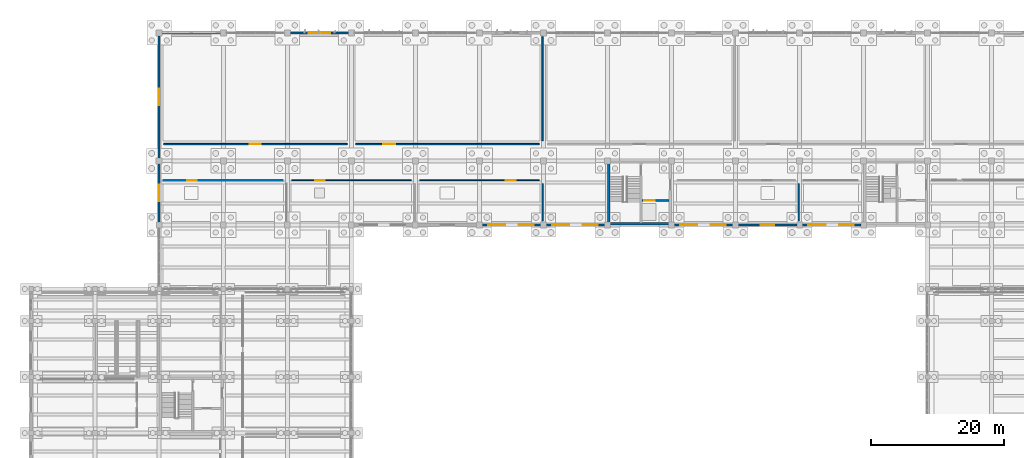
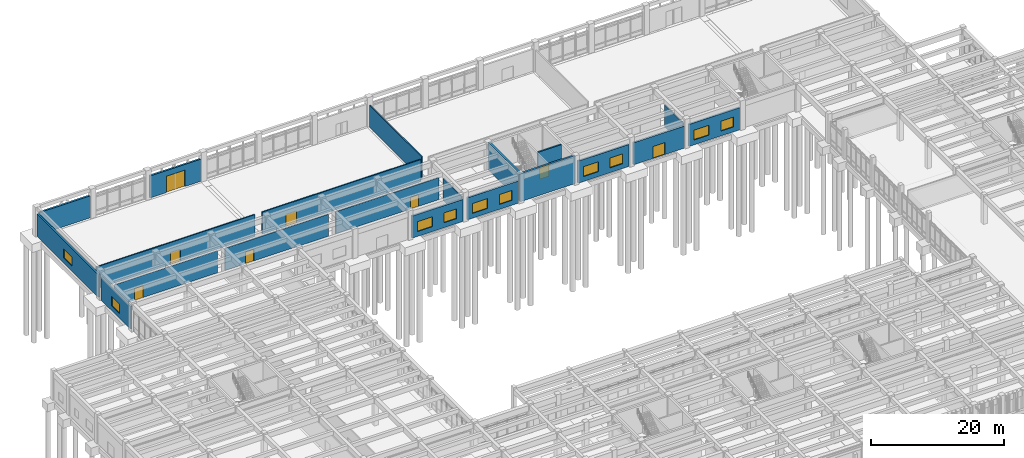
# One storey, part 81 of 102: 20 walls, 10 windows, 8 doors, 18 openings.
"""IFC4 building model written with IfcOpenShell, lengths in metres."""

from ifc_helpers import new_model, si_unit, direction, frame, frame_2d, origin, place, context, subcontext, project, spatial, rectangle, extrude, material, layer, layer_set, type_object, element, fill, save


model = new_model("IFC4")

# Units and contexts
model_context = context("Model", 3, precision=1e-05, world=origin(), true_north=direction((0.0, 1.0)))
body_context = subcontext(model_context, "Body", "Model", "MODEL_VIEW")
ifc_project = project(units=[si_unit("LENGTHUNIT", "METRE"), si_unit("AREAUNIT", "SQUARE_METRE"), si_unit("VOLUMEUNIT", "CUBIC_METRE"), si_unit("PLANEANGLEUNIT", "RADIAN"), si_unit("MASSUNIT", "GRAM", prefix="KILO")], contexts=[model_context])

# Site, building, storey
site_placement = place(None, origin())
site = spatial("IfcSite", under=ifc_project, at=site_placement, CompositionType="ELEMENT")
building_placement = place(site_placement, origin())
building = spatial("IfcBuilding", under=site, at=building_placement, Name="Kolvemor Railside Polytechnic", CompositionType="ELEMENT")
storey_placement = place(building_placement, origin())
storey = spatial("IfcBuildingStorey", under=building, at=storey_placement, Name="L00", CompositionType="ELEMENT", Elevation=0.0)

# Walls
ifc_material_1 = material(Name="Concrete C40/50", Category="concrete")
ifc_layer_1 = layer(ifc_material_1, 0.35009765625, Name="WL-CORE-350")
ifc_layer_set_1 = layer_set([ifc_layer_1], Name="Concrete C40/50")
wall_type_1 = type_object("IfcWallType", Name="WL-CORE-350", PredefinedType="SHEAR", material=ifc_layer_set_1)
for number, where, z_axis, x_axis, name in (
    (1, (86.39990234375, 91.375, 0.0), (0.0, 0.0, 1.0), (1.0, 0.0, 0.0), "CORE-8 South Core Wall L00"),
    (2, (86.574951171875, 91.199951171875, 0.0), (0.0, 0.0, 1.0), (0.0, 1.0, 0.0), "CORE-8 West Core Wall L00"),
):
    element("IfcWall", number, at=place(storey_placement, frame(where, z_axis=z_axis, x_axis=x_axis)), inside=storey, type_object=wall_type_1, Name=name, PredefinedType="SHEAR", context=body_context, shape_type="SweptSolid", body=[
        extrude(rectangle(XDim=9.60009765625, YDim=0.35009765625, at=frame_2d((4.800048828125, 0.0))), origin(), (0.0, 0.0, 1.0), 5.110107421875),
    ])

# Wall, openings, windows
ifc_material_2 = material(Name="Concrete C40/50", Category="concrete")
ifc_layer_2 = layer(ifc_material_2, 0.300048828125, Name="WL-EXT-RC-300")
ifc_layer_set_2 = layer_set([ifc_layer_2], Name="Concrete C40/50")
wall_type_2 = type_object("IfcWallType", Name="WL-EXT-RC-300", PredefinedType="SOLIDWALL", material=ifc_layer_set_2)
wall_1_placement = place(storey_placement, frame((67.580078125, 91.199951171875, 0.0), z_axis=(0.0, 0.0, 1.0), x_axis=(1.0, 0.0, 0.0)))
wall_1 = element("IfcWall", 3, at=wall_1_placement, inside=storey, type_object=wall_type_2, Name="Exterior Wall L00-0007", PredefinedType="SOLIDWALL", context=body_context, shape_type="SweptSolid", body=[
    extrude(rectangle(XDim=8.83984375, YDim=0.300048828125, at=frame_2d((4.419921875, 0.0))), origin(), (0.0, 0.0, 1.0), 4.0400390625),
])
opening_1_placement = place(wall_1_placement, frame((0.909912109375, 0.0, 0.89990234375)))
opening_1 = element("IfcOpeningElement", 4, at=opening_1_placement, cuts=wall_1, Name="Opening WN-WKS1", PredefinedType="OPENING", context=body_context, shape_type="SweptSolid", body=[
    extrude(rectangle(XDim=2.60009765625, YDim=1.800048828125, at=frame_2d((1.300048828125, 0.89990234375))), frame((0.0, 0.159912109375, 0.0), z_axis=(0.0, -1.0, 0.0), x_axis=(1.0, 0.0, 0.0)), (0.0, 0.0, 1.0), 0.320068359375),
])
opening_2_placement = place(wall_1_placement, frame((5.530029296875, 0.0, 0.89990234375)))
opening_2 = element("IfcOpeningElement", 5, at=opening_2_placement, cuts=wall_1, Name="Opening WN-WKS3", PredefinedType="OPENING", context=body_context, shape_type="SweptSolid", body=[
    extrude(rectangle(XDim=2.199951171875, YDim=1.800048828125, at=frame_2d((1.10009765625, 0.89990234375))), frame((0.0, 0.159912109375, 0.0), z_axis=(0.0, -1.0, 0.0), x_axis=(1.0, 0.0, 0.0)), (0.0, 0.0, 1.0), 0.320068359375),
])
ifc_material_3 = material(Name="Hurricane-laminated thermally broken aluminium window", Category="aluminium")
window_type_1 = type_object("IfcWindowType", Name="WN-WKS-220x180", PartitioningType="DOUBLE_PANEL_VERTICAL", PredefinedType="WINDOW", material=ifc_material_3)
window_1_placement = place(opening_2_placement, origin())
window_1 = element("IfcWindow", 6, at=window_1_placement, inside=storey, type_object=window_type_1, Name="Window L00-0004", OverallHeight=1.800048828125, OverallWidth=2.199951171875, PartitioningType="SINGLE_PANEL", PredefinedType="WINDOW", context=body_context, shape_type="SweptSolid", body=[
    extrude(rectangle(XDim=2.199951171875, YDim=1.800048828125, at=frame_2d((1.10009765625, 0.89990234375))), frame((0.0, 0.030029296875, 0.0), z_axis=(0.0, -1.0, 0.0), x_axis=(1.0, 0.0, 0.0)), (0.0, 0.0, 1.0), 0.06005859375),
])
fill(opening_2, window_1)
ifc_material_4 = material(Name="Hurricane-laminated thermally broken aluminium window", Category="aluminium")
window_type_2 = type_object("IfcWindowType", Name="WN-WKS-260x180", PartitioningType="DOUBLE_PANEL_VERTICAL", PredefinedType="WINDOW", material=ifc_material_4)
window_2_placement = place(opening_1_placement, origin())
window_2 = element("IfcWindow", 7, at=window_2_placement, inside=storey, type_object=window_type_2, Name="Window L00-0003", OverallHeight=1.800048828125, OverallWidth=2.60009765625, PartitioningType="SINGLE_PANEL", PredefinedType="WINDOW", context=body_context, shape_type="SweptSolid", body=[
    extrude(rectangle(XDim=2.60009765625, YDim=1.800048828125, at=frame_2d((1.300048828125, 0.89990234375))), frame((0.0, 0.030029296875, 0.0), z_axis=(0.0, -1.0, 0.0), x_axis=(1.0, 0.0, 0.0)), (0.0, 0.0, 1.0), 0.06005859375),
])
fill(opening_1, window_2)

wall_2_placement = place(storey_placement, frame((77.179931640625, 91.199951171875, 0.0), z_axis=(0.0, 0.0, 1.0), x_axis=(1.0, 0.0, 0.0)))
wall_2 = element("IfcWall", 8, at=wall_2_placement, inside=storey, type_object=wall_type_2, Name="Exterior Wall L00-0008", PredefinedType="SOLIDWALL", context=body_context, shape_type="SweptSolid", body=[
    extrude(rectangle(XDim=8.840087890625, YDim=0.300048828125, at=frame_2d((4.419921875, 0.0))), origin(), (0.0, 0.0, 1.0), 4.0400390625),
])
opening_3_placement = place(wall_2_placement, frame((0.909912109375, 0.0, 0.89990234375)))
opening_3 = element("IfcOpeningElement", 9, at=opening_3_placement, cuts=wall_2, Name="Opening WN-WKS1", PredefinedType="OPENING", context=body_context, shape_type="SweptSolid", body=[
    extrude(rectangle(XDim=2.60009765625, YDim=1.800048828125, at=frame_2d((1.300048828125, 0.89990234375))), frame((0.0, 0.159912109375, 0.0), z_axis=(0.0, -1.0, 0.0), x_axis=(1.0, 0.0, 0.0)), (0.0, 0.0, 1.0), 0.320068359375),
])
opening_4_placement = place(wall_2_placement, frame((5.530029296875, 0.0, 0.89990234375)))
opening_4 = element("IfcOpeningElement", 10, at=opening_4_placement, cuts=wall_2, Name="Opening WN-WKS3", PredefinedType="OPENING", context=body_context, shape_type="SweptSolid", body=[
    extrude(rectangle(XDim=2.199951171875, YDim=1.800048828125, at=frame_2d((1.10009765625, 0.89990234375))), frame((0.0, 0.159912109375, 0.0), z_axis=(0.0, -1.0, 0.0), x_axis=(1.0, 0.0, 0.0)), (0.0, 0.0, 1.0), 0.320068359375),
])
window_3_placement = place(opening_4_placement, origin())
window_3 = element("IfcWindow", 11, at=window_3_placement, inside=storey, type_object=window_type_1, Name="Window L00-0006", OverallHeight=1.800048828125, OverallWidth=2.199951171875, PartitioningType="SINGLE_PANEL", PredefinedType="WINDOW", context=body_context, shape_type="SweptSolid", body=[
    extrude(rectangle(XDim=2.199951171875, YDim=1.800048828125, at=frame_2d((1.10009765625, 0.89990234375))), frame((0.0, 0.030029296875, 0.0), z_axis=(0.0, -1.0, 0.0), x_axis=(1.0, 0.0, 0.0)), (0.0, 0.0, 1.0), 0.06005859375),
])
fill(opening_4, window_3)
window_4_placement = place(opening_3_placement, origin())
window_4 = element("IfcWindow", 12, at=window_4_placement, inside=storey, type_object=window_type_2, Name="Window L00-0005", OverallHeight=1.800048828125, OverallWidth=2.60009765625, PartitioningType="SINGLE_PANEL", PredefinedType="WINDOW", context=body_context, shape_type="SweptSolid", body=[
    extrude(rectangle(XDim=2.60009765625, YDim=1.800048828125, at=frame_2d((1.300048828125, 0.89990234375))), frame((0.0, 0.030029296875, 0.0), z_axis=(0.0, -1.0, 0.0), x_axis=(1.0, 0.0, 0.0)), (0.0, 0.0, 1.0), 0.06005859375),
])
fill(opening_3, window_4)

wall_3_placement = place(storey_placement, frame((96.3798828125, 91.199951171875, 0.0), z_axis=(0.0, 0.0, 1.0), x_axis=(1.0, 0.0, 0.0)))
wall_3 = element("IfcWall", 13, at=wall_3_placement, inside=storey, type_object=wall_type_2, Name="Exterior Wall L00-0010", PredefinedType="SOLIDWALL", context=body_context, shape_type="SweptSolid", body=[
    extrude(rectangle(XDim=8.840087890625, YDim=0.300048828125, at=frame_2d((4.419921875, 0.0))), origin(), (0.0, 0.0, 1.0), 4.0400390625),
])
opening_5_placement = place(wall_3_placement, frame((0.909912109375, 0.0, 0.89990234375)))
opening_5 = element("IfcOpeningElement", 14, at=opening_5_placement, cuts=wall_3, Name="Opening WN-WKS1", PredefinedType="OPENING", context=body_context, shape_type="SweptSolid", body=[
    extrude(rectangle(XDim=2.60009765625, YDim=1.800048828125, at=frame_2d((1.300048828125, 0.89990234375))), frame((0.0, 0.159912109375, 0.0), z_axis=(0.0, -1.0, 0.0), x_axis=(1.0, 0.0, 0.0)), (0.0, 0.0, 1.0), 0.320068359375),
])
opening_6_placement = place(wall_3_placement, frame((5.530029296875, 0.0, 0.89990234375)))
opening_6 = element("IfcOpeningElement", 15, at=opening_6_placement, cuts=wall_3, Name="Opening WN-WKS3", PredefinedType="OPENING", context=body_context, shape_type="SweptSolid", body=[
    extrude(rectangle(XDim=2.199951171875, YDim=1.800048828125, at=frame_2d((1.10009765625, 0.89990234375))), frame((0.0, 0.159912109375, 0.0), z_axis=(0.0, -1.0, 0.0), x_axis=(1.0, 0.0, 0.0)), (0.0, 0.0, 1.0), 0.320068359375),
])
window_5_placement = place(opening_6_placement, origin())
window_5 = element("IfcWindow", 16, at=window_5_placement, inside=storey, type_object=window_type_1, Name="Window L00-0008", OverallHeight=1.800048828125, OverallWidth=2.199951171875, PartitioningType="SINGLE_PANEL", PredefinedType="WINDOW", context=body_context, shape_type="SweptSolid", body=[
    extrude(rectangle(XDim=2.199951171875, YDim=1.800048828125, at=frame_2d((1.10009765625, 0.89990234375))), frame((0.0, 0.030029296875, 0.0), z_axis=(0.0, -1.0, 0.0), x_axis=(1.0, 0.0, 0.0)), (0.0, 0.0, 1.0), 0.06005859375),
])
fill(opening_6, window_5)
window_6_placement = place(opening_5_placement, origin())
window_6 = element("IfcWindow", 17, at=window_6_placement, inside=storey, type_object=window_type_2, Name="Window L00-0007", OverallHeight=1.800048828125, OverallWidth=2.60009765625, PartitioningType="SINGLE_PANEL", PredefinedType="WINDOW", context=body_context, shape_type="SweptSolid", body=[
    extrude(rectangle(XDim=2.60009765625, YDim=1.800048828125, at=frame_2d((1.300048828125, 0.89990234375))), frame((0.0, 0.030029296875, 0.0), z_axis=(0.0, -1.0, 0.0), x_axis=(1.0, 0.0, 0.0)), (0.0, 0.0, 1.0), 0.06005859375),
])
fill(opening_5, window_6)

# Wall, opening, door
wall_4_placement = place(storey_placement, frame((105.97998046875, 91.199951171875, 0.0), z_axis=(0.0, 0.0, 1.0), x_axis=(1.0, 0.0, 0.0)))
wall_4 = element("IfcWall", 18, at=wall_4_placement, inside=storey, type_object=wall_type_2, Name="Exterior Wall L00-0011", PredefinedType="SOLIDWALL", context=body_context, shape_type="SweptSolid", body=[
    extrude(rectangle(XDim=8.840087890625, YDim=0.300048828125, at=frame_2d((4.419921875, 0.0))), origin(), (0.0, 0.0, 1.0), 4.0400390625),
])
opening_7_placement = place(wall_4_placement, frame((3.419921875, 0.0, 0.0)))
opening_7 = element("IfcOpeningElement", 19, at=opening_7_placement, cuts=wall_4, Name="Opening EX-04", PredefinedType="OPENING", context=body_context, shape_type="SweptSolid", body=[
    extrude(rectangle(XDim=2.0, YDim=2.199951171875, at=frame_2d((1.0, 1.10009765625))), frame((0.0, 0.159912109375, 0.0), z_axis=(0.0, -1.0, 0.0), x_axis=(1.0, 0.0, 0.0)), (0.0, 0.0, 1.0), 0.320068359375),
])
ifc_material_5 = material(Name="Marine-grade thermally broken aluminium and laminated glass door", Category="aluminium")
door_type_1 = type_object("IfcDoorType", Name="DR-EXIT-200x220", OperationType="NOTDEFINED", PredefinedType="DOOR", material=ifc_material_5)
door_1_placement = place(opening_7_placement, origin())
door_1 = element("IfcDoor", 20, at=door_1_placement, inside=storey, type_object=door_type_1, Name="Exterior Door EX-04", OperationType="SINGLE_SWING_RIGHT", OverallHeight=2.199951171875, OverallWidth=2.0, PredefinedType="DOOR", context=body_context, shape_type="SweptSolid", body=[
    extrude(rectangle(XDim=2.0, YDim=2.199951171875, at=frame_2d((1.0, 1.10009765625))), frame((0.0, 0.02490234375, 0.0), z_axis=(0.0, -1.0, 0.0), x_axis=(1.0, 0.0, 0.0)), (0.0, 0.0, 1.0), 0.050048828125),
])
fill(opening_7, door_1)

# Wall, openings, windows
wall_5_placement = place(storey_placement, frame((115.580078125, 91.199951171875, 0.0), z_axis=(0.0, 0.0, 1.0), x_axis=(1.0, 0.0, 0.0)))
wall_5 = element("IfcWall", 21, at=wall_5_placement, inside=storey, type_object=wall_type_2, Name="Exterior Wall L00-0012", PredefinedType="SOLIDWALL", context=body_context, shape_type="SweptSolid", body=[
    extrude(rectangle(XDim=8.83984375, YDim=0.300048828125, at=frame_2d((4.419921875, 0.0))), origin(), (0.0, 0.0, 1.0), 4.0400390625),
])
opening_8_placement = place(wall_5_placement, frame((0.909912109375, 0.0, 0.89990234375)))
opening_8 = element("IfcOpeningElement", 22, at=opening_8_placement, cuts=wall_5, Name="Opening WN-WKS1", PredefinedType="OPENING", context=body_context, shape_type="SweptSolid", body=[
    extrude(rectangle(XDim=2.60009765625, YDim=1.800048828125, at=frame_2d((1.300048828125, 0.89990234375))), frame((0.0, 0.159912109375, 0.0), z_axis=(0.0, -1.0, 0.0), x_axis=(1.0, 0.0, 0.0)), (0.0, 0.0, 1.0), 0.320068359375),
])
opening_9_placement = place(wall_5_placement, frame((5.530029296875, 0.0, 0.89990234375)))
opening_9 = element("IfcOpeningElement", 23, at=opening_9_placement, cuts=wall_5, Name="Opening WN-WKS3", PredefinedType="OPENING", context=body_context, shape_type="SweptSolid", body=[
    extrude(rectangle(XDim=2.199951171875, YDim=1.800048828125, at=frame_2d((1.10009765625, 0.89990234375))), frame((0.0, 0.159912109375, 0.0), z_axis=(0.0, -1.0, 0.0), x_axis=(1.0, 0.0, 0.0)), (0.0, 0.0, 1.0), 0.320068359375),
])
window_7_placement = place(opening_9_placement, origin())
window_7 = element("IfcWindow", 24, at=window_7_placement, inside=storey, type_object=window_type_1, Name="Window L00-0010", OverallHeight=1.800048828125, OverallWidth=2.199951171875, PartitioningType="SINGLE_PANEL", PredefinedType="WINDOW", context=body_context, shape_type="SweptSolid", body=[
    extrude(rectangle(XDim=2.199951171875, YDim=1.800048828125, at=frame_2d((1.10009765625, 0.89990234375))), frame((0.0, 0.030029296875, 0.0), z_axis=(0.0, -1.0, 0.0), x_axis=(1.0, 0.0, 0.0)), (0.0, 0.0, 1.0), 0.06005859375),
])
fill(opening_9, window_7)
window_8_placement = place(opening_8_placement, origin())
window_8 = element("IfcWindow", 25, at=window_8_placement, inside=storey, type_object=window_type_2, Name="Window L00-0009", OverallHeight=1.800048828125, OverallWidth=2.60009765625, PartitioningType="SINGLE_PANEL", PredefinedType="WINDOW", context=body_context, shape_type="SweptSolid", body=[
    extrude(rectangle(XDim=2.60009765625, YDim=1.800048828125, at=frame_2d((1.300048828125, 0.89990234375))), frame((0.0, 0.030029296875, 0.0), z_axis=(0.0, -1.0, 0.0), x_axis=(1.0, 0.0, 0.0)), (0.0, 0.0, 1.0), 0.06005859375),
])
fill(opening_8, window_8)

# Wall, opening, window
wall_6_placement = place(storey_placement, frame((19.199951171875, 100.419921875, 0.0), z_axis=(0.0, 0.0, 1.0), x_axis=(0.0, -1.0, 0.0)))
wall_6 = element("IfcWall", 26, at=wall_6_placement, inside=storey, type_object=wall_type_2, Name="Exterior Wall L00-0016", PredefinedType="SOLIDWALL", context=body_context, shape_type="SweptSolid", body=[
    extrude(rectangle(XDim=8.83984375, YDim=0.300048828125, at=frame_2d((4.419921875, 0.0))), origin(), (0.0, 0.0, 1.0), 4.139892578125),
])
opening_10_placement = place(wall_6_placement, frame((3.195068359375, 0.0, 0.89990234375)))
opening_10 = element("IfcOpeningElement", 27, at=opening_10_placement, cuts=wall_6, Name="Opening WN-M12", PredefinedType="OPENING", context=body_context, shape_type="SweptSolid", body=[
    extrude(rectangle(XDim=2.449951171875, YDim=1.699951171875, at=frame_2d((1.22509765625, 0.85009765625))), frame((0.0, 0.159912109375, 0.0), z_axis=(0.0, -1.0, 0.0), x_axis=(1.0, 0.0, 0.0)), (0.0, 0.0, 1.0), 0.320068359375),
])
ifc_material_6 = material(Name="Hurricane-laminated thermally broken aluminium window", Category="aluminium")
window_type_3 = type_object("IfcWindowType", Name="WN-MOD-245x170", PartitioningType="DOUBLE_PANEL_VERTICAL", PredefinedType="WINDOW", material=ifc_material_6)
window_9_placement = place(opening_10_placement, origin())
window_9 = element("IfcWindow", 28, at=window_9_placement, inside=storey, type_object=window_type_3, Name="Window L00-0011", OverallHeight=1.699951171875, OverallWidth=2.449951171875, PartitioningType="SINGLE_PANEL", PredefinedType="WINDOW", context=body_context, shape_type="SweptSolid", body=[
    extrude(rectangle(XDim=2.449951171875, YDim=1.699951171875, at=frame_2d((1.22509765625, 0.85009765625))), frame((0.0, 0.030029296875, 0.0), z_axis=(0.0, -1.0, 0.0), x_axis=(1.0, 0.0, 0.0)), (0.0, 0.0, 1.0), 0.06005859375),
])
fill(opening_10, window_9)

wall_7_placement = place(storey_placement, frame((19.199951171875, 119.6201171875, 0.0), z_axis=(0.0, 0.0, 1.0), x_axis=(0.0, -1.0, 0.0)))
wall_7 = element("IfcWall", 29, at=wall_7_placement, inside=storey, type_object=wall_type_2, Name="Exterior Wall L00-0020", PredefinedType="SOLIDWALL", context=body_context, shape_type="SweptSolid", body=[
    extrude(rectangle(XDim=18.440185546875, YDim=0.300048828125, at=frame_2d((9.22021484375, 0.0))), origin(), (0.0, 0.0, 1.0), 4.139892578125),
])
opening_11_placement = place(wall_7_placement, frame((7.9951171875, 0.0, 0.89990234375)))
opening_11 = element("IfcOpeningElement", 30, at=opening_11_placement, cuts=wall_7, Name="Opening WN-M12", PredefinedType="OPENING", context=body_context, shape_type="SweptSolid", body=[
    extrude(rectangle(XDim=2.449951171875, YDim=1.699951171875, at=frame_2d((1.22509765625, 0.85009765625))), frame((0.0, 0.159912109375, 0.0), z_axis=(0.0, -1.0, 0.0), x_axis=(1.0, 0.0, 0.0)), (0.0, 0.0, 1.0), 0.320068359375),
])
window_10_placement = place(opening_11_placement, origin())
window_10 = element("IfcWindow", 31, at=window_10_placement, inside=storey, type_object=window_type_3, Name="Window L00-0015", OverallHeight=1.699951171875, OverallWidth=2.449951171875, PartitioningType="SINGLE_PANEL", PredefinedType="WINDOW", context=body_context, shape_type="SweptSolid", body=[
    extrude(rectangle(XDim=2.449951171875, YDim=1.699951171875, at=frame_2d((1.22509765625, 0.85009765625))), frame((0.0, 0.030029296875, 0.0), z_axis=(0.0, -1.0, 0.0), x_axis=(1.0, 0.0, 0.0)), (0.0, 0.0, 1.0), 0.06005859375),
])
fill(opening_11, window_10)

# Wall
ifc_material_7 = material(Name="Concrete C40/50", Category="concrete")
ifc_layer_3 = layer(ifc_material_7, 0.320068359375, Name="WL-EXT-RC-320")
ifc_layer_set_3 = layer_set([ifc_layer_3], Name="Concrete C40/50")
wall_type_3 = type_object("IfcWallType", Name="WL-EXT-RC-320", PredefinedType="SOLIDWALL", material=ifc_layer_set_3)
wall_8_placement = place(storey_placement, frame((28.419921875, 120.0, 0.0), z_axis=(0.0, 0.0, 1.0), x_axis=(-1.0, 0.0, 0.0)))
element("IfcWall", 32, at=wall_8_placement, inside=storey, type_object=wall_type_3, Name="Exterior Wall L00-0001", PredefinedType="SOLIDWALL", context=body_context, shape_type="SweptSolid", body=[
    extrude(rectangle(XDim=8.83984375, YDim=0.320068359375, at=frame_2d((4.419921875, 0.0))), origin(), (0.0, 0.0, 1.0), 4.0400390625),
])

# Wall, opening, door
wall_9_placement = place(storey_placement, frame((47.6201171875, 120.0, 0.0), z_axis=(0.0, 0.0, 1.0), x_axis=(-1.0, 0.0, 0.0)))
wall_9 = element("IfcWall", 33, at=wall_9_placement, inside=storey, type_object=wall_type_3, Name="Exterior Wall L00-0003", PredefinedType="SOLIDWALL", context=body_context, shape_type="SweptSolid", body=[
    extrude(rectangle(XDim=8.840087890625, YDim=0.320068359375, at=frame_2d((4.419921875, 0.0))), origin(), (0.0, 0.0, 1.0), 4.0400390625),
])
opening_12_placement = place(wall_9_placement, frame((2.820068359375, 0.0, 0.0)))
opening_12 = element("IfcOpeningElement", 34, at=opening_12_placement, cuts=wall_9, Name="Opening GD-01", PredefinedType="OPENING", context=body_context, shape_type="SweptSolid", body=[
    extrude(rectangle(XDim=3.199951171875, YDim=3.0, at=frame_2d((1.60009765625, 1.5))), frame((0.0, 0.169921875, 0.0), z_axis=(0.0, -1.0, 0.0), x_axis=(1.0, 0.0, 0.0)), (0.0, 0.0, 1.0), 0.340087890625),
])
ifc_material_8 = material(Name="Marine-grade thermally broken aluminium and laminated glass door", Category="aluminium")
door_type_2 = type_object("IfcDoorType", Name="DR-GATE-320x300", OperationType="ROLLINGUP", PredefinedType="GATE", material=ifc_material_8)
door_2_placement = place(opening_12_placement, origin())
door_2 = element("IfcDoor", 35, at=door_2_placement, inside=storey, type_object=door_type_2, Name="Exterior Door GD-01", OperationType="ROLLINGUP", OverallHeight=3.0, OverallWidth=3.199951171875, PredefinedType="GATE", context=body_context, shape_type="SweptSolid", body=[
    extrude(rectangle(XDim=3.199951171875, YDim=3.0, at=frame_2d((1.60009765625, 1.5))), frame((0.0, 0.02490234375, 0.0), z_axis=(0.0, -1.0, 0.0), x_axis=(1.0, 0.0, 0.0)), (0.0, 0.0, 1.0), 0.050048828125),
])
fill(opening_12, door_2)

ifc_material_9 = material(Name="Fire-rated store partition")
ifc_layer_4 = layer(ifc_material_9, 0.110107421875, Name="WL-PART-110")
ifc_layer_set_4 = layer_set([ifc_layer_4], Name="Fire-rated store partition")
wall_type_4 = type_object("IfcWallType", Name="WL-PART-110", PredefinedType="PARTITIONING", material=ifc_layer_set_4)
wall_10_placement = place(storey_placement, frame((19.85009765625, 97.8798828125, 0.0), z_axis=(0.0, 0.0, 1.0), x_axis=(1.0, 0.0, 0.0)))
wall_10 = element("IfcWall", 36, at=wall_10_placement, inside=storey, type_object=wall_type_4, Name="Partition Wall L00-0008", PredefinedType="PARTITIONING", context=body_context, shape_type="SweptSolid", body=[
    extrude(rectangle(XDim=17.89990234375, YDim=0.110107421875, at=frame_2d((8.949951171875, 0.0))), origin(), (0.0, 0.0, 1.0), 4.0400390625),
])
opening_13_placement = place(wall_10_placement, frame((3.530029296875, 0.0, 0.0)))
opening_13 = element("IfcOpeningElement", 37, at=opening_13_placement, cuts=wall_10, Name="Opening D-00006", PredefinedType="OPENING", context=body_context, shape_type="SweptSolid", body=[
    extrude(rectangle(XDim=1.449951171875, YDim=2.14990234375, at=frame_2d((0.72509765625, 1.074951171875))), frame((0.0, 0.06494140625, 0.0), z_axis=(0.0, -1.0, 0.0), x_axis=(1.0, 0.0, 0.0)), (0.0, 0.0, 1.0), 0.130126953125),
])
ifc_material_10 = material(Name="Fire-rated hardwood and brushed stainless-steel door", Category="steel")
door_type_3 = type_object("IfcDoorType", Name="DR-PLT-145x215", OperationType="NOTDEFINED", PredefinedType="DOOR", material=ifc_material_10)
door_3_placement = place(opening_13_placement, origin())
door_3 = element("IfcDoor", 38, at=door_3_placement, inside=storey, type_object=door_type_3, Name="Room Door D-00006 (Workshop Tool and Bar-Stock Store)", OperationType="SINGLE_SWING_LEFT", OverallHeight=2.14990234375, OverallWidth=1.449951171875, PredefinedType="DOOR", context=body_context, shape_type="SweptSolid", body=[
    extrude(rectangle(XDim=1.449951171875, YDim=2.14990234375, at=frame_2d((0.72509765625, 1.074951171875))), frame((0.0, 0.02490234375, 0.0), z_axis=(0.0, -1.0, 0.0), x_axis=(1.0, 0.0, 0.0)), (0.0, 0.0, 1.0), 0.050048828125),
])
fill(opening_13, door_3)

ifc_material_11 = material(Name="Fire-rated double-stud acoustic partition")
ifc_layer_5 = layer(ifc_material_11, 0.179931640625, Name="WL-PART-180")
ifc_layer_set_5 = layer_set([ifc_layer_5], Name="Fire-rated double-stud acoustic partition")
wall_type_5 = type_object("IfcWallType", Name="WL-PART-180", PredefinedType="PARTITIONING", material=ifc_layer_set_5)
wall_11_placement = place(storey_placement, frame((39.050048828125, 97.8798828125, 0.0), z_axis=(0.0, 0.0, 1.0), x_axis=(1.0, 0.0, 0.0)))
wall_11 = element("IfcWall", 39, at=wall_11_placement, inside=storey, type_object=wall_type_5, Name="Partition Wall L00-0010", PredefinedType="PARTITIONING", context=body_context, shape_type="SweptSolid", body=[
    extrude(rectangle(XDim=17.89990234375, YDim=0.179931640625, at=frame_2d((8.949951171875, 0.0))), origin(), (0.0, 0.0, 1.0), 4.0400390625),
])
opening_14_placement = place(wall_11_placement, frame((3.530029296875, 0.0, 0.0)))
opening_14 = element("IfcOpeningElement", 40, at=opening_14_placement, cuts=wall_11, Name="Opening D-00007", PredefinedType="OPENING", context=body_context, shape_type="SweptSolid", body=[
    extrude(rectangle(XDim=1.449951171875, YDim=2.14990234375, at=frame_2d((0.72509765625, 1.074951171875))), frame((0.0, 0.099853515625, 0.0), z_axis=(0.0, -1.0, 0.0), x_axis=(1.0, 0.0, 0.0)), (0.0, 0.0, 1.0), 0.199951171875),
])
door_4_placement = place(opening_14_placement, origin())
door_4 = element("IfcDoor", 41, at=door_4_placement, inside=storey, type_object=door_type_3, Name="Room Door D-00007 (Central Chiller Mechanical Plant)", OperationType="SINGLE_SWING_RIGHT", OverallHeight=2.14990234375, OverallWidth=1.449951171875, PredefinedType="DOOR", context=body_context, shape_type="SweptSolid", body=[
    extrude(rectangle(XDim=1.449951171875, YDim=2.14990234375, at=frame_2d((0.72509765625, 1.074951171875))), frame((0.0, 0.02490234375, 0.0), z_axis=(0.0, -1.0, 0.0), x_axis=(1.0, 0.0, 0.0)), (0.0, 0.0, 1.0), 0.050048828125),
])
fill(opening_14, door_4)

wall_12_placement = place(storey_placement, frame((58.25, 97.8798828125, 0.0), z_axis=(0.0, 0.0, 1.0), x_axis=(1.0, 0.0, 0.0)))
wall_12 = element("IfcWall", 42, at=wall_12_placement, inside=storey, type_object=wall_type_5, Name="Partition Wall L00-0012", PredefinedType="PARTITIONING", context=body_context, shape_type="SweptSolid", body=[
    extrude(rectangle(XDim=17.89990234375, YDim=0.179931640625, at=frame_2d((8.949951171875, 0.0))), origin(), (0.0, 0.0, 1.0), 4.0400390625),
])
opening_15_placement = place(wall_12_placement, frame((12.919921875, 0.0, 0.0)))
opening_15 = element("IfcOpeningElement", 43, at=opening_15_placement, cuts=wall_12, Name="Opening D-00008", PredefinedType="OPENING", context=body_context, shape_type="SweptSolid", body=[
    extrude(rectangle(XDim=1.449951171875, YDim=2.14990234375, at=frame_2d((0.72509765625, 1.074951171875))), frame((0.0, 0.099853515625, 0.0), z_axis=(0.0, -1.0, 0.0), x_axis=(1.0, 0.0, 0.0)), (0.0, 0.0, 1.0), 0.199951171875),
])
door_5_placement = place(opening_15_placement, origin())
door_5 = element("IfcDoor", 44, at=door_5_placement, inside=storey, type_object=door_type_3, Name="Room Door D-00008 (Rainwater Cistern and Fire Pump Room)", OperationType="SINGLE_SWING_LEFT", OverallHeight=2.14990234375, OverallWidth=1.449951171875, PredefinedType="DOOR", context=body_context, shape_type="SweptSolid", body=[
    extrude(rectangle(XDim=1.449951171875, YDim=2.14990234375, at=frame_2d((0.72509765625, 1.074951171875))), frame((0.0, 0.02490234375, 0.0), z_axis=(0.0, -1.0, 0.0), x_axis=(1.0, 0.0, 0.0)), (0.0, 0.0, 1.0), 0.050048828125),
])
fill(opening_15, door_5)

# Walls
for number, where, z_axis, x_axis, name in (
    (45, (76.679931640625, 91.800048828125, 0.0), (0.0, 0.0, 1.0), (0.0, 1.0, 0.0), "Demising Partition L00-0013"),
    (46, (115.080078125, 91.800048828125, 0.0), (0.0, 0.0, 1.0), (0.0, 1.0, 0.0), "Demising Partition L00-0015"),
):
    element("IfcWall", number, at=place(storey_placement, frame(where, z_axis=z_axis, x_axis=x_axis)), inside=storey, type_object=wall_type_5, Name=name, PredefinedType="PARTITIONING", context=body_context, shape_type="SweptSolid", body=[
        extrude(rectangle(XDim=5.599853515625, YDim=0.179931640625, at=frame_2d((2.7998046875, 0.0))), origin(), (0.0, 0.0, 1.0), 4.0400390625),
    ])

# Wall, opening, door
ifc_material_12 = material(Name="Acoustic concrete blockwork and gypsum", Category="masonry")
ifc_layer_6 = layer(ifc_material_12, 0.199951171875, Name="WL-PART-200")
ifc_layer_set_6 = layer_set([ifc_layer_6], Name="Acoustic concrete blockwork and gypsum")
wall_type_6 = type_object("IfcWallType", Name="WL-PART-200", PredefinedType="PARTITIONING", material=ifc_layer_set_6)
wall_13_placement = place(storey_placement, frame((19.85009765625, 103.320068359375, 0.0), z_axis=(0.0, 0.0, 1.0), x_axis=(1.0, 0.0, 0.0)))
wall_13 = element("IfcWall", 47, at=wall_13_placement, inside=storey, type_object=wall_type_6, Name="Partition Wall L00-0001", PredefinedType="PARTITIONING", context=body_context, shape_type="SweptSolid", body=[
    extrude(rectangle(XDim=27.5, YDim=0.199951171875, at=frame_2d((13.75, 0.0))), origin(), (0.0, 0.0, 1.0), 4.0400390625),
])
opening_16_placement = place(wall_13_placement, frame((12.89990234375, 0.0, 0.0)))
opening_16 = element("IfcOpeningElement", 48, at=opening_16_placement, cuts=wall_13, Name="Opening D-00001", PredefinedType="OPENING", context=body_context, shape_type="SweptSolid", body=[
    extrude(rectangle(XDim=1.699951171875, YDim=2.199951171875, at=frame_2d((0.85009765625, 1.10009765625))), frame((0.0, 0.10986328125, 0.0), z_axis=(0.0, -1.0, 0.0), x_axis=(1.0, 0.0, 0.0)), (0.0, 0.0, 1.0), 0.219970703125),
])
ifc_material_13 = material(Name="Fire-rated hardwood and brushed stainless-steel door", Category="steel")
door_type_4 = type_object("IfcDoorType", Name="DR-WKS-170x220", OperationType="NOTDEFINED", PredefinedType="DOOR", material=ifc_material_13)
door_6_placement = place(opening_16_placement, origin())
door_6 = element("IfcDoor", 49, at=door_6_placement, inside=storey, type_object=door_type_4, Name="Room Door D-00001 (Heavy Machining Engineering Workshop)", OperationType="SINGLE_SWING_RIGHT", OverallHeight=2.199951171875, OverallWidth=1.699951171875, PredefinedType="DOOR", context=body_context, shape_type="SweptSolid", body=[
    extrude(rectangle(XDim=1.699951171875, YDim=2.199951171875, at=frame_2d((0.85009765625, 1.10009765625))), frame((0.0, 0.02490234375, 0.0), z_axis=(0.0, -1.0, 0.0), x_axis=(1.0, 0.0, 0.0)), (0.0, 0.0, 1.0), 0.050048828125),
])
fill(opening_16, door_6)

wall_14_placement = place(storey_placement, frame((48.64990234375, 103.320068359375, 0.0), z_axis=(0.0, 0.0, 1.0), x_axis=(1.0, 0.0, 0.0)))
wall_14 = element("IfcWall", 50, at=wall_14_placement, inside=storey, type_object=wall_type_6, Name="Partition Wall L00-0002", PredefinedType="PARTITIONING", context=body_context, shape_type="SweptSolid", body=[
    extrude(rectangle(XDim=27.5, YDim=0.199951171875, at=frame_2d((13.75, 0.0))), origin(), (0.0, 0.0, 1.0), 4.0400390625),
])
opening_17_placement = place(wall_14_placement, frame((4.135009765625, 0.0, 0.0)))
opening_17 = element("IfcOpeningElement", 51, at=opening_17_placement, cuts=wall_14, Name="Opening D-00002", PredefinedType="OPENING", context=body_context, shape_type="SweptSolid", body=[
    extrude(rectangle(XDim=1.800048828125, YDim=2.199951171875, at=frame_2d((0.89990234375, 1.10009765625))), frame((0.0, 0.10986328125, 0.0), z_axis=(0.0, -1.0, 0.0), x_axis=(1.0, 0.0, 0.0)), (0.0, 0.0, 1.0), 0.219970703125),
])
ifc_material_14 = material(Name="Fire-rated hardwood and brushed stainless-steel door", Category="steel")
door_type_5 = type_object("IfcDoorType", Name="DR-WKS-180x220", OperationType="NOTDEFINED", PredefinedType="DOOR", material=ifc_material_14)
door_7_placement = place(opening_17_placement, origin())
door_7 = element("IfcDoor", 52, at=door_7_placement, inside=storey, type_object=door_type_5, Name="Room Door D-00002 (Marine Propulsion Engineering Workshop)", OperationType="SINGLE_SWING_LEFT", OverallHeight=2.199951171875, OverallWidth=1.800048828125, PredefinedType="DOOR", context=body_context, shape_type="SweptSolid", body=[
    extrude(rectangle(XDim=1.800048828125, YDim=2.199951171875, at=frame_2d((0.89990234375, 1.10009765625))), frame((0.0, 0.02490234375, 0.0), z_axis=(0.0, -1.0, 0.0), x_axis=(1.0, 0.0, 0.0)), (0.0, 0.0, 1.0), 0.050048828125),
])
fill(opening_17, door_7)

# Wall
wall_15_placement = place(storey_placement, frame((76.679931640625, 103.800048828125, 0.0), z_axis=(0.0, 0.0, 1.0), x_axis=(0.0, 1.0, 0.0)))
element("IfcWall", 53, at=wall_15_placement, inside=storey, type_object=wall_type_6, Name="Demising Partition L00-0003", PredefinedType="PARTITIONING", context=body_context, shape_type="SweptSolid", body=[
    extrude(rectangle(XDim=15.599853515625, YDim=0.199951171875, at=frame_2d((7.7998046875, 0.0))), origin(), (0.0, 0.0, 1.0), 4.0400390625),
])

# Wall, opening, door
ifc_material_15 = material(Name="Concrete C40/50", Category="concrete")
ifc_layer_7 = layer(ifc_material_15, 0.25, Name="WL-SHFT-250")
ifc_layer_set_7 = layer_set([ifc_layer_7], Name="Concrete C40/50")
wall_type_7 = type_object("IfcWallType", Name="WL-SHFT-250", PredefinedType="SHEAR", material=ifc_layer_set_7)
wall_16_placement = place(storey_placement, frame((91.550048828125, 94.875, 0.0), z_axis=(0.0, 0.0, 1.0), x_axis=(1.0, 0.0, 0.0)))
wall_16 = element("IfcWall", 54, at=wall_16_placement, inside=storey, type_object=wall_type_7, Name="CORE-8 Lift Shaft Front Wall L00", PredefinedType="SHEAR", context=body_context, shape_type="SweptSolid", body=[
    extrude(rectangle(XDim=4.099853515625, YDim=0.25, at=frame_2d((2.0498046875, 0.0))), origin(), (0.0, 0.0, 1.0), 5.110107421875),
])
opening_18_placement = place(wall_16_placement, frame((0.35009765625, 0.0, 0.0)))
opening_18 = element("IfcOpeningElement", 55, at=opening_18_placement, cuts=wall_16, Name="Opening LD-GL-1-L00", PredefinedType="OPENING", context=body_context, shape_type="SweptSolid", body=[
    extrude(rectangle(XDim=1.60009765625, YDim=2.199951171875, at=frame_2d((0.800048828125, 1.10009765625))), frame((0.0, 0.135009765625, 0.0), z_axis=(0.0, -1.0, 0.0), x_axis=(1.0, 0.0, 0.0)), (0.0, 0.0, 1.0), 0.27001953125),
])
ifc_material_16 = material(Name="Fire-rated hardwood and brushed stainless-steel door", Category="steel")
door_type_6 = type_object("IfcDoorType", Name="DR-LIFT-160x220", OperationType="SLIDING_TO_LEFT", PredefinedType="DOOR", material=ifc_material_16)
door_8_placement = place(opening_18_placement, origin())
door_8 = element("IfcDoor", 56, at=door_8_placement, inside=storey, type_object=door_type_6, Name="Lift Landing Sliding Door GL-1 L00", OperationType="SLIDING_TO_LEFT", OverallHeight=2.199951171875, OverallWidth=1.60009765625, PredefinedType="DOOR", context=body_context, shape_type="SweptSolid", body=[
    extrude(rectangle(XDim=1.60009765625, YDim=2.199951171875, at=frame_2d((0.800048828125, 1.10009765625))), frame((0.0, 0.02490234375, 0.0), z_axis=(0.0, -1.0, 0.0), x_axis=(1.0, 0.0, 0.0)), (0.0, 0.0, 1.0), 0.050048828125),
])
fill(opening_18, door_8)

save(model, "model.ifc")
